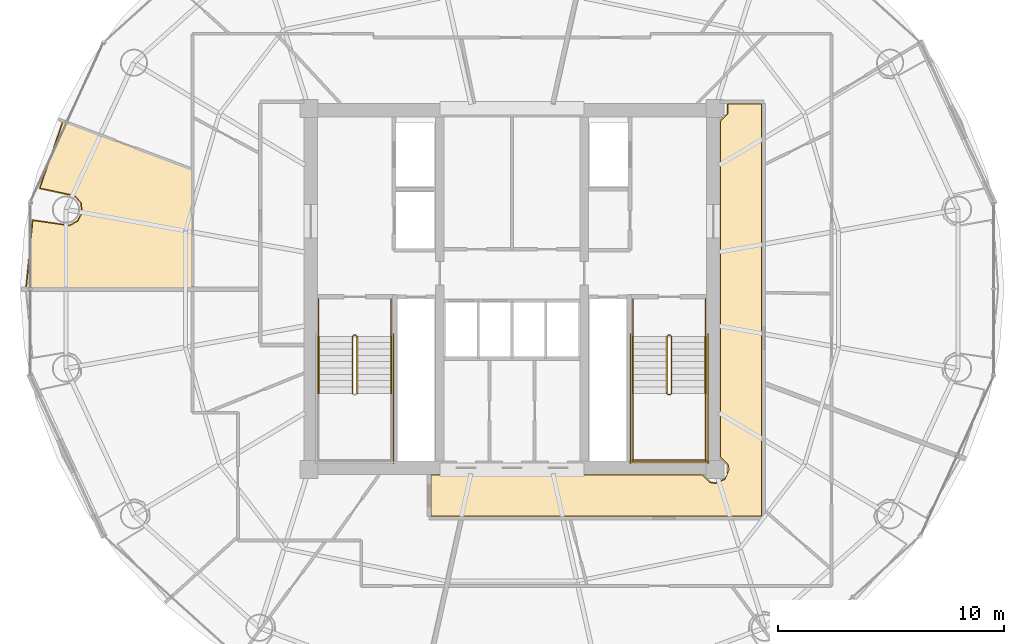
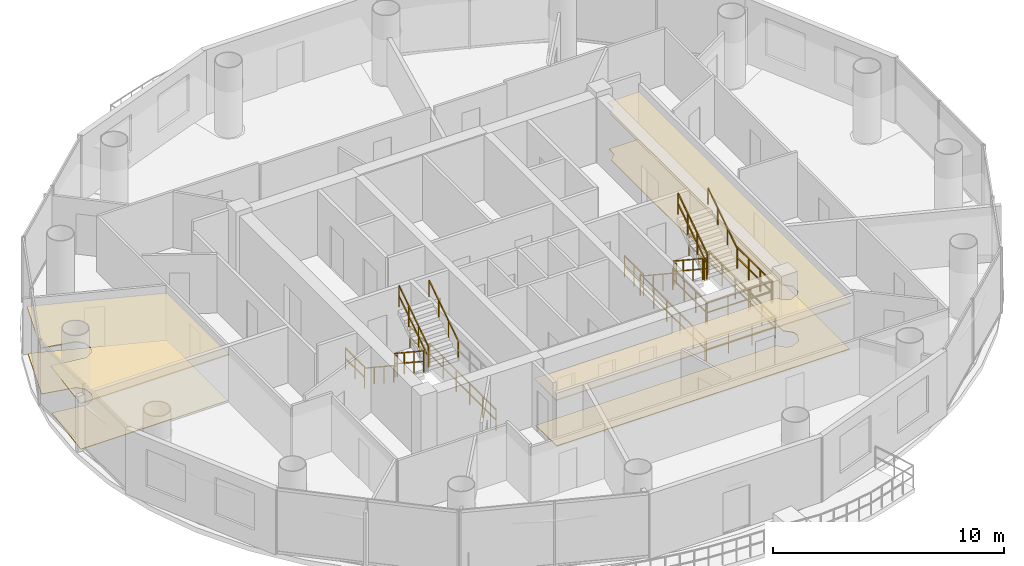
# One storey, part 25 of 26: 22 railings, 4 coverings.
"""IFC4 building model written with IfcOpenShell, lengths in metres."""

from ifc_helpers import new_model, si_unit, direction, frame, origin, origin_2d, place, context, subcontext, project, spatial, polyline, rectangle, outline, extrude, material, layer, layer_set, type_object, element, save


model = new_model("IFC4")

# Units and contexts
model_context = context("Model", 3, precision=1e-05, world=origin(), true_north=direction((-0.2419218956, 0.970295726276)))
body_context = subcontext(model_context, "Body", "Model", "MODEL_VIEW")
ifc_project = project(units=[si_unit("LENGTHUNIT", "METRE"), si_unit("AREAUNIT", "SQUARE_METRE"), si_unit("VOLUMEUNIT", "CUBIC_METRE"), si_unit("PLANEANGLEUNIT", "RADIAN"), si_unit("MASSUNIT", "GRAM", prefix="KILO")], contexts=[model_context])

# Site, building, storey
site_placement = place(None, origin())
site = spatial("IfcSite", under=ifc_project, at=site_placement, CompositionType="ELEMENT")
building_placement = place(site_placement, origin())
building = spatial("IfcBuilding", under=site, at=building_placement, Name="Cobrevalo Terracotta Tower", CompositionType="ELEMENT")
storey_placement = place(building_placement, frame((0.0, 0.0, 235.60009765625)))
storey = spatial("IfcBuildingStorey", under=building, at=storey_placement, Name="L62", CompositionType="ELEMENT", Elevation=235.60009765625)

# Coverings
ifc_material_1 = material(Name="Engineered Brazilian hardwood flooring", Category="wood")
ifc_layer_1 = layer(ifc_material_1, 0.028076171875)
ifc_layer_set_1 = layer_set([ifc_layer_1], Name="Engineered Brazilian hardwood flooring")
covering_type_1 = type_object("IfcCoveringType", Name="Engineered Hardwood Suite Flooring 28", PredefinedType="FLOORING", material=ifc_layer_set_1)
covering_1_placement = place(storey_placement, origin())
element("IfcCovering", 1, at=covering_1_placement, inside=storey, type_object=covering_type_1, Name="Flat L62B Penthouse Family Lounge floor finish", PredefinedType="FLOORING", context=body_context, shape_type="SweptSolid", body=[
    extrude(outline(polyline([(23.824951171875, 32.08447265625), (23.824951171875, 26.820068359375), (16.4814453125, 26.820068359375), (16.7734375, 29.83056640625), (18.39599609375, 29.5986328125), (18.770751953125, 29.80859375), (18.9658203125, 30.191650390625), (18.9150390625, 30.6181640625), (18.635986328125, 30.94482421875), (17.09228515625, 31.277099609375), (18.114501953125, 34.221923828125), (23.824951171875, 32.08447265625)])), origin(), (0.0, 0.0, 1.0), 0.02978515625),
])
ifc_material_2 = material(Name="Honed terracotta and granite tile", Category="masonry")
ifc_layer_2 = layer(ifc_material_2, 0.034912109375)
ifc_layer_set_2 = layer_set([ifc_layer_2], Name="Honed terracotta and granite tile")
covering_type_2 = type_object("IfcCoveringType", Name="Honed Terracotta & Granite Interior Flooring 35", PredefinedType="FLOORING", material=ifc_layer_set_2)
covering_2_placement = place(storey_placement, origin())
element("IfcCovering", 2, at=covering_2_placement, inside=storey, type_object=covering_type_2, Name="L62 Residential Floor Corridor 1 floor finish", PredefinedType="FLOORING", context=body_context, shape_type="SweptSolid", body=[
    extrude(outline(polyline([(34.419921875, 18.554931640625), (46.431884765625, 18.554931640625), (46.7626953125, 18.226806640625), (47.0, 18.1796875), (47.438720703125, 18.361328125), (47.620361328125, 18.800048828125), (47.5732421875, 19.037353515625), (47.2451171875, 19.3681640625), (47.2451171875, 34.23193359375), (47.5732421875, 34.5625), (47.57958984375, 35.0048828125), (49.054931640625, 35.0048828125), (49.054931640625, 16.7451171875), (34.419921875, 16.7451171875), (34.419921875, 18.554931640625)])), origin(), (0.0, 0.0, 1.0), 0.02978515625),
])
ifc_material_3 = material(Name="Acoustic perforated gypsum ceiling", Category="gypsum")
ifc_layer_3 = layer(ifc_material_3, 0.050048828125)
ifc_layer_set_3 = layer_set([ifc_layer_3], Name="Acoustic perforated gypsum ceiling")
covering_type_3 = type_object("IfcCoveringType", Name="Perforated Acoustic Gypsum Ceiling 50", PredefinedType="CEILING", material=ifc_layer_set_3)
covering_3_placement = place(storey_placement, frame((0.0, 0.0, 2.44482421875)))
element("IfcCovering", 3, at=covering_3_placement, inside=storey, type_object=covering_type_3, Name="L62 Residential Floor Corridor 1 acoustic ceiling", PredefinedType="CEILING", context=body_context, shape_type="SweptSolid", body=[
    extrude(outline(polyline([(34.375, 18.60009765625), (46.4560546875, 18.60009765625), (46.780029296875, 18.269287109375), (47.0, 18.2255859375), (47.40625, 18.393798828125), (47.53076171875, 18.580078125), (47.53076171875, 19.019775390625), (47.199951171875, 19.343994140625), (47.199951171875, 34.255859375), (47.53076171875, 34.580078125), (47.524658203125, 35.050048828125), (49.10009765625, 35.050048828125), (49.10009765625, 16.699951171875), (34.375, 16.699951171875), (34.375, 18.60009765625)])), origin(), (0.0, 0.0, 1.0), 0.050048828125),
])
covering_4_placement = place(storey_placement, frame((0.0, 0.0, 2.44482421875)))
element("IfcCovering", 4, at=covering_4_placement, inside=storey, type_object=covering_type_3, Name="Flat L62B Penthouse Family Lounge acoustic ceiling", PredefinedType="CEILING", context=body_context, shape_type="SweptSolid", body=[
    extrude(outline(polyline([(23.8701171875, 32.11572265625), (23.8701171875, 26.77490234375), (16.43310546875, 26.77490234375), (16.73876953125, 29.88232421875), (18.386474609375, 29.642578125), (18.73828125, 29.83984375), (18.92138671875, 30.199462890625), (18.873779296875, 30.60009765625), (18.611572265625, 30.90673828125), (17.038330078125, 31.240966796875), (18.088134765625, 34.280029296875), (23.8701171875, 32.11572265625)])), origin(), (0.0, 0.0, 1.0), 0.050048828125),
])

# Railings
ifc_material_4 = material(Name="Brushed stainless steel", Category="steel")
railing_type_1 = type_object("IfcRailingType", Name="Stainless Steel Stair Handrail 900", PredefinedType="HANDRAIL", material=ifc_material_4)
railing_1_placement = place(storey_placement, frame((29.425048828125, 24.699951171875, 0.184814453125)))
element("IfcRailing", 5, at=railing_1_placement, inside=storey, type_object=railing_type_1, Name="L62 ST-1 stair handrail 1", PredefinedType="HANDRAIL", context=body_context, shape_type="SweptSolid", body=[
    extrude(rectangle(XDim=0.048095703125, YDim=0.048095703125, at=origin_2d()), frame((0.0, 0.0, 0.8759765625), z_axis=(0.0, -0.834331337432, 0.55126329406), x_axis=(1.0, 0.0, 0.0)), (0.0, 0.0, 1.0), 3.0205078125),
    extrude(rectangle(XDim=0.0419921875, YDim=0.0419921875, at=origin_2d()), origin(), (0.0, 0.0, 1.0), 0.851806640625),
    extrude(rectangle(XDim=0.0419921875, YDim=0.0419921875, at=origin_2d()), frame((0.0, -0.840087890625, 0.554931640625)), (0.0, 0.0, 1.0), 0.851806640625),
    extrude(rectangle(XDim=0.0419921875, YDim=0.0419921875, at=origin_2d()), frame((0.0, -1.679931640625, 1.110107421875)), (0.0, 0.0, 1.0), 0.851806640625),
    extrude(rectangle(XDim=0.0419921875, YDim=0.0419921875, at=origin_2d()), frame((0.0, -2.52001953125, 1.6650390625)), (0.0, 0.0, 1.0), 0.851806640625),
])
railing_2_placement = place(storey_placement, frame((32.64501953125, 22.179931640625, 2.034912109375)))
element("IfcRailing", 6, at=railing_2_placement, inside=storey, type_object=railing_type_1, Name="L62 ST-1 stair handrail 2", PredefinedType="HANDRAIL", context=body_context, shape_type="SweptSolid", body=[
    extrude(rectangle(XDim=0.048095703125, YDim=0.048095703125, at=origin_2d()), frame((0.0, 0.0, 0.8759765625), z_axis=(0.0, 0.834331337432, 0.55126329406), x_axis=(-1.0, 0.0, 0.0)), (0.0, 0.0, 1.0), 3.0205078125),
    extrude(rectangle(XDim=0.0419921875, YDim=0.0419921875, at=origin_2d()), origin(), (0.0, 0.0, 1.0), 0.851806640625),
    extrude(rectangle(XDim=0.0419921875, YDim=0.0419921875, at=origin_2d()), frame((0.0, 0.840087890625, 0.554931640625)), (0.0, 0.0, 1.0), 0.851806640625),
    extrude(rectangle(XDim=0.0419921875, YDim=0.0419921875, at=origin_2d()), frame((0.0, 1.679931640625, 1.110107421875)), (0.0, 0.0, 1.0), 0.851806640625),
    extrude(rectangle(XDim=0.0419921875, YDim=0.0419921875, at=origin_2d()), frame((0.0, 2.52001953125, 1.6650390625)), (0.0, 0.0, 1.0), 0.851806640625),
])
railing_3_placement = place(storey_placement, frame((43.35498046875, 24.699951171875, 0.184814453125)))
element("IfcRailing", 7, at=railing_3_placement, inside=storey, type_object=railing_type_1, Name="L62 ST-2 stair handrail 1", PredefinedType="HANDRAIL", context=body_context, shape_type="SweptSolid", body=[
    extrude(rectangle(XDim=0.048095703125, YDim=0.048095703125, at=origin_2d()), frame((0.0, 0.0, 0.8759765625), z_axis=(0.0, -0.834331337432, 0.55126329406), x_axis=(1.0, 0.0, 0.0)), (0.0, 0.0, 1.0), 3.0205078125),
    extrude(rectangle(XDim=0.0419921875, YDim=0.0419921875, at=origin_2d()), origin(), (0.0, 0.0, 1.0), 0.851806640625),
    extrude(rectangle(XDim=0.0419921875, YDim=0.0419921875, at=origin_2d()), frame((0.0, -0.840087890625, 0.554931640625)), (0.0, 0.0, 1.0), 0.851806640625),
    extrude(rectangle(XDim=0.0419921875, YDim=0.0419921875, at=origin_2d()), frame((0.0, -1.679931640625, 1.110107421875)), (0.0, 0.0, 1.0), 0.851806640625),
    extrude(rectangle(XDim=0.0419921875, YDim=0.0419921875, at=origin_2d()), frame((0.0, -2.52001953125, 1.6650390625)), (0.0, 0.0, 1.0), 0.851806640625),
])
railing_4_placement = place(storey_placement, frame((46.574951171875, 22.179931640625, 2.034912109375)))
element("IfcRailing", 8, at=railing_4_placement, inside=storey, type_object=railing_type_1, Name="L62 ST-2 stair handrail 2", PredefinedType="HANDRAIL", context=body_context, shape_type="SweptSolid", body=[
    extrude(rectangle(XDim=0.048095703125, YDim=0.048095703125, at=origin_2d()), frame((0.0, 0.0, 0.8759765625), z_axis=(0.0, 0.834331337432, 0.55126329406), x_axis=(-1.0, 0.0, 0.0)), (0.0, 0.0, 1.0), 3.0205078125),
    extrude(rectangle(XDim=0.0419921875, YDim=0.0419921875, at=origin_2d()), origin(), (0.0, 0.0, 1.0), 0.851806640625),
    extrude(rectangle(XDim=0.0419921875, YDim=0.0419921875, at=origin_2d()), frame((0.0, 0.840087890625, 0.554931640625)), (0.0, 0.0, 1.0), 0.851806640625),
    extrude(rectangle(XDim=0.0419921875, YDim=0.0419921875, at=origin_2d()), frame((0.0, 1.679931640625, 1.110107421875)), (0.0, 0.0, 1.0), 0.851806640625),
    extrude(rectangle(XDim=0.0419921875, YDim=0.0419921875, at=origin_2d()), frame((0.0, 2.52001953125, 1.6650390625)), (0.0, 0.0, 1.0), 0.851806640625),
])
ifc_material_5 = material(Name="Painted galvanized steel", Category="steel")
railing_type_2 = type_object("IfcRailingType", Name="Stair Well Guard Balustrade 1150", PredefinedType="GUARDRAIL", material=ifc_material_5)
railing_5_placement = place(storey_placement, frame((30.925048828125, 24.699951171875, 0.184814453125)))
element("IfcRailing", 9, at=railing_5_placement, inside=storey, type_object=railing_type_2, Name="L62 ST-1 stair guard 1", PredefinedType="GUARDRAIL", context=body_context, shape_type="SweptSolid", body=[
    extrude(rectangle(XDim=0.048095703125, YDim=0.048095703125, at=origin_2d()), frame((0.0, 0.0, 1.1259765625), z_axis=(0.0, -0.834331337432, 0.55126329406), x_axis=(1.0, 0.0, 0.0)), (0.0, 0.0, 1.0), 3.0205078125),
    extrude(rectangle(XDim=0.048095703125, YDim=0.048095703125, at=origin_2d()), frame((0.0, 0.0, 0.574951171875), z_axis=(0.0, -0.834331337432, 0.55126329406), x_axis=(1.0, 0.0, 0.0)), (0.0, 0.0, 1.0), 3.0205078125),
    extrude(rectangle(XDim=0.0419921875, YDim=0.0419921875, at=origin_2d()), origin(), (0.0, 0.0, 1.0), 1.101806640625),
    extrude(rectangle(XDim=0.0419921875, YDim=0.0419921875, at=origin_2d()), frame((0.0, -0.840087890625, 0.554931640625)), (0.0, 0.0, 1.0), 1.101806640625),
    extrude(rectangle(XDim=0.0419921875, YDim=0.0419921875, at=origin_2d()), frame((0.0, -1.679931640625, 1.110107421875)), (0.0, 0.0, 1.0), 1.101806640625),
    extrude(rectangle(XDim=0.0419921875, YDim=0.0419921875, at=origin_2d()), frame((0.0, -2.52001953125, 1.6650390625)), (0.0, 0.0, 1.0), 1.101806640625),
])
railing_6_placement = place(storey_placement, frame((31.14501953125, 22.179931640625, 2.034912109375)))
element("IfcRailing", 10, at=railing_6_placement, inside=storey, type_object=railing_type_2, Name="L62 ST-1 stair guard 6", PredefinedType="GUARDRAIL", context=body_context, shape_type="SweptSolid", body=[
    extrude(rectangle(XDim=0.048095703125, YDim=0.048095703125, at=origin_2d()), frame((0.0, 0.0, 1.1259765625), z_axis=(0.0, 0.834331337432, 0.55126329406), x_axis=(-1.0, 0.0, 0.0)), (0.0, 0.0, 1.0), 3.0205078125),
    extrude(rectangle(XDim=0.048095703125, YDim=0.048095703125, at=origin_2d()), frame((0.0, 0.0, 0.574951171875), z_axis=(0.0, 0.834331337432, 0.55126329406), x_axis=(-1.0, 0.0, 0.0)), (0.0, 0.0, 1.0), 3.0205078125),
    extrude(rectangle(XDim=0.0419921875, YDim=0.0419921875, at=origin_2d()), origin(), (0.0, 0.0, 1.0), 1.101806640625),
    extrude(rectangle(XDim=0.0419921875, YDim=0.0419921875, at=origin_2d()), frame((0.0, 0.840087890625, 0.554931640625)), (0.0, 0.0, 1.0), 1.101806640625),
    extrude(rectangle(XDim=0.0419921875, YDim=0.0419921875, at=origin_2d()), frame((0.0, 1.679931640625, 1.110107421875)), (0.0, 0.0, 1.0), 1.101806640625),
    extrude(rectangle(XDim=0.0419921875, YDim=0.0419921875, at=origin_2d()), frame((0.0, 2.52001953125, 1.6650390625)), (0.0, 0.0, 1.0), 1.101806640625),
])
railing_7_placement = place(storey_placement, frame((30.97509765625, 24.75, 0.0)))
element("IfcRailing", 11, at=railing_7_placement, inside=storey, type_object=railing_type_2, Name="L62 ST-1 stair guard 7", PredefinedType="GUARDRAIL", context=body_context, shape_type="SweptSolid", body=[
    extrude(rectangle(XDim=0.048095703125, YDim=0.048095703125, at=origin_2d()), frame((0.0, 0.0, 1.1259765625), z_axis=(1.0, 0.0, 0.0), x_axis=(0.0, 1.0, 0.0)), (0.0, 0.0, 1.0), 0.119873046875),
    extrude(rectangle(XDim=0.048095703125, YDim=0.048095703125, at=origin_2d()), frame((0.0, 0.0, 0.574951171875), z_axis=(1.0, 0.0, 0.0), x_axis=(0.0, 1.0, 0.0)), (0.0, 0.0, 1.0), 0.119873046875),
    extrude(rectangle(XDim=0.0419921875, YDim=0.0419921875, at=origin_2d()), origin(), (0.0, 0.0, 1.0), 1.101806640625),
    extrude(rectangle(XDim=0.0419921875, YDim=0.0419921875, at=origin_2d()), frame((0.119873046875, 0.0, 0.0)), (0.0, 0.0, 1.0), 1.101806640625),
])
for number, where, name in (
    (12, (29.425048828125, 26.35009765625, 0.0), "L62 ST-1 stair guard 8"),
    (13, (32.64501953125, 26.35009765625, 0.0), "L62 ST-1 stair guard 9"),
):
    element("IfcRailing", number, at=place(storey_placement, frame(where)), inside=storey, type_object=railing_type_2, Name=name, PredefinedType="GUARDRAIL", context=body_context, shape_type="SweptSolid", body=[
        extrude(rectangle(XDim=0.048095703125, YDim=0.048095703125, at=origin_2d()), frame((0.0, 0.0, 1.1259765625), z_axis=(0.0, -1.0, 0.0), x_axis=(1.0, 0.0, 0.0)), (0.0, 0.0, 1.0), 1.650146484375),
        extrude(rectangle(XDim=0.048095703125, YDim=0.048095703125, at=origin_2d()), frame((0.0, 0.0, 0.574951171875), z_axis=(0.0, -1.0, 0.0), x_axis=(1.0, 0.0, 0.0)), (0.0, 0.0, 1.0), 1.650146484375),
        extrude(rectangle(XDim=0.0419921875, YDim=0.0419921875, at=origin_2d()), origin(), (0.0, 0.0, 1.0), 1.101806640625),
        extrude(rectangle(XDim=0.0419921875, YDim=0.0419921875, at=origin_2d()), frame((0.0, -0.8251953125, 0.0)), (0.0, 0.0, 1.0), 1.101806640625),
        extrude(rectangle(XDim=0.0419921875, YDim=0.0419921875, at=origin_2d()), frame((0.0, -1.650146484375, 0.0)), (0.0, 0.0, 1.0), 1.101806640625),
    ])
railing_8_placement = place(storey_placement, frame((32.7451171875, 24.800048828125, 0.0)))
element("IfcRailing", 14, at=railing_8_placement, inside=storey, type_object=railing_type_2, Name="L62 ST-1 stair guard 11", PredefinedType="GUARDRAIL", context=body_context, shape_type="SweptSolid", body=[
    extrude(rectangle(XDim=0.048095703125, YDim=0.048095703125, at=origin_2d()), frame((0.0, 0.0, 1.1259765625), z_axis=(0.0, -1.0, 0.0), x_axis=(1.0, 0.0, 0.0)), (0.0, 0.0, 1.0), 5.72509765625),
    extrude(rectangle(XDim=0.048095703125, YDim=0.048095703125, at=origin_2d()), frame((0.0, 0.0, 0.574951171875), z_axis=(0.0, -1.0, 0.0), x_axis=(1.0, 0.0, 0.0)), (0.0, 0.0, 1.0), 5.72509765625),
    extrude(rectangle(XDim=0.0419921875, YDim=0.0419921875, at=origin_2d()), origin(), (0.0, 0.0, 1.0), 1.101806640625),
    extrude(rectangle(XDim=0.0419921875, YDim=0.0419921875, at=origin_2d()), frame((0.0, -1.14501953125, 0.0)), (0.0, 0.0, 1.0), 1.101806640625),
    extrude(rectangle(XDim=0.0419921875, YDim=0.0419921875, at=origin_2d()), frame((0.0, -2.2900390625, 0.0)), (0.0, 0.0, 1.0), 1.101806640625),
    extrude(rectangle(XDim=0.0419921875, YDim=0.0419921875, at=origin_2d()), frame((0.0, -3.43505859375, 0.0)), (0.0, 0.0, 1.0), 1.101806640625),
    extrude(rectangle(XDim=0.0419921875, YDim=0.0419921875, at=origin_2d()), frame((0.0, -4.580078125, 0.0)), (0.0, 0.0, 1.0), 1.101806640625),
    extrude(rectangle(XDim=0.0419921875, YDim=0.0419921875, at=origin_2d()), frame((0.0, -5.72509765625, 0.0)), (0.0, 0.0, 1.0), 1.101806640625),
])
railing_9_placement = place(storey_placement, frame((44.85498046875, 24.699951171875, 0.184814453125)))
element("IfcRailing", 15, at=railing_9_placement, inside=storey, type_object=railing_type_2, Name="L62 ST-2 stair guard 1", PredefinedType="GUARDRAIL", context=body_context, shape_type="SweptSolid", body=[
    extrude(rectangle(XDim=0.048095703125, YDim=0.048095703125, at=origin_2d()), frame((0.0, 0.0, 1.1259765625), z_axis=(0.0, -0.834331337432, 0.55126329406), x_axis=(1.0, 0.0, 0.0)), (0.0, 0.0, 1.0), 3.0205078125),
    extrude(rectangle(XDim=0.048095703125, YDim=0.048095703125, at=origin_2d()), frame((0.0, 0.0, 0.574951171875), z_axis=(0.0, -0.834331337432, 0.55126329406), x_axis=(1.0, 0.0, 0.0)), (0.0, 0.0, 1.0), 3.0205078125),
    extrude(rectangle(XDim=0.0419921875, YDim=0.0419921875, at=origin_2d()), origin(), (0.0, 0.0, 1.0), 1.101806640625),
    extrude(rectangle(XDim=0.0419921875, YDim=0.0419921875, at=origin_2d()), frame((0.0, -0.840087890625, 0.554931640625)), (0.0, 0.0, 1.0), 1.101806640625),
    extrude(rectangle(XDim=0.0419921875, YDim=0.0419921875, at=origin_2d()), frame((0.0, -1.679931640625, 1.110107421875)), (0.0, 0.0, 1.0), 1.101806640625),
    extrude(rectangle(XDim=0.0419921875, YDim=0.0419921875, at=origin_2d()), frame((0.0, -2.52001953125, 1.6650390625)), (0.0, 0.0, 1.0), 1.101806640625),
])
railing_10_placement = place(storey_placement, frame((44.905029296875, 22.1298828125, 1.849853515625)))
element("IfcRailing", 16, at=railing_10_placement, inside=storey, type_object=railing_type_2, Name="L62 ST-2 stair guard 2", PredefinedType="GUARDRAIL", context=body_context, shape_type="SweptSolid", body=[
    extrude(rectangle(XDim=0.048095703125, YDim=0.048095703125, at=origin_2d()), frame((0.0, 0.0, 1.1259765625), z_axis=(1.0, 0.0, 0.0), x_axis=(0.0, 1.0, 0.0)), (0.0, 0.0, 1.0), 0.119873046875),
    extrude(rectangle(XDim=0.048095703125, YDim=0.048095703125, at=origin_2d()), frame((0.0, 0.0, 0.574951171875), z_axis=(1.0, 0.0, 0.0), x_axis=(0.0, 1.0, 0.0)), (0.0, 0.0, 1.0), 0.119873046875),
    extrude(rectangle(XDim=0.0419921875, YDim=0.0419921875, at=origin_2d()), origin(), (0.0, 0.0, 1.0), 1.101806640625),
    extrude(rectangle(XDim=0.0419921875, YDim=0.0419921875, at=origin_2d()), frame((0.119873046875, 0.0, 0.0)), (0.0, 0.0, 1.0), 1.101806640625),
])
for number, where, name in (
    (17, (43.35498046875, 22.179931640625, 1.849853515625), "L62 ST-2 stair guard 3"),
    (18, (46.574951171875, 22.179931640625, 1.849853515625), "L62 ST-2 stair guard 4"),
):
    element("IfcRailing", number, at=place(storey_placement, frame(where)), inside=storey, type_object=railing_type_2, Name=name, PredefinedType="GUARDRAIL", context=body_context, shape_type="SweptSolid", body=[
        extrude(rectangle(XDim=0.048095703125, YDim=0.048095703125, at=origin_2d()), frame((0.0, 0.0, 1.1259765625), z_axis=(0.0, -1.0, 0.0), x_axis=(1.0, 0.0, 0.0)), (0.0, 0.0, 1.0), 3.0048828125),
        extrude(rectangle(XDim=0.048095703125, YDim=0.048095703125, at=origin_2d()), frame((0.0, 0.0, 0.574951171875), z_axis=(0.0, -1.0, 0.0), x_axis=(1.0, 0.0, 0.0)), (0.0, 0.0, 1.0), 3.0048828125),
        extrude(rectangle(XDim=0.0419921875, YDim=0.0419921875, at=origin_2d()), origin(), (0.0, 0.0, 1.0), 1.101806640625),
        extrude(rectangle(XDim=0.0419921875, YDim=0.0419921875, at=origin_2d()), frame((0.0, -1.001708984375, 0.0)), (0.0, 0.0, 1.0), 1.101806640625),
        extrude(rectangle(XDim=0.0419921875, YDim=0.0419921875, at=origin_2d()), frame((0.0, -2.003173828125, 0.0)), (0.0, 0.0, 1.0), 1.101806640625),
        extrude(rectangle(XDim=0.0419921875, YDim=0.0419921875, at=origin_2d()), frame((0.0, -3.0048828125, 0.0)), (0.0, 0.0, 1.0), 1.101806640625),
    ])
railing_11_placement = place(storey_placement, frame((43.304931640625, 19.22509765625, 1.849853515625)))
element("IfcRailing", 19, at=railing_11_placement, inside=storey, type_object=railing_type_2, Name="L62 ST-2 stair guard 5", PredefinedType="GUARDRAIL", context=body_context, shape_type="SweptSolid", body=[
    extrude(rectangle(XDim=0.048095703125, YDim=0.048095703125, at=origin_2d()), frame((0.0, 0.0, 1.1259765625), z_axis=(1.0, 0.0, 0.0), x_axis=(0.0, 1.0, 0.0)), (0.0, 0.0, 1.0), 3.320068359375),
    extrude(rectangle(XDim=0.048095703125, YDim=0.048095703125, at=origin_2d()), frame((0.0, 0.0, 0.574951171875), z_axis=(1.0, 0.0, 0.0), x_axis=(0.0, 1.0, 0.0)), (0.0, 0.0, 1.0), 3.320068359375),
    extrude(rectangle(XDim=0.0419921875, YDim=0.0419921875, at=origin_2d()), origin(), (0.0, 0.0, 1.0), 1.101806640625),
    extrude(rectangle(XDim=0.0419921875, YDim=0.0419921875, at=origin_2d()), frame((1.106689453125, 0.0, 0.0)), (0.0, 0.0, 1.0), 1.101806640625),
    extrude(rectangle(XDim=0.0419921875, YDim=0.0419921875, at=origin_2d()), frame((2.21337890625, 0.0, 0.0)), (0.0, 0.0, 1.0), 1.101806640625),
    extrude(rectangle(XDim=0.0419921875, YDim=0.0419921875, at=origin_2d()), frame((3.320068359375, 0.0, 0.0)), (0.0, 0.0, 1.0), 1.101806640625),
])
railing_12_placement = place(storey_placement, frame((45.074951171875, 22.179931640625, 2.034912109375)))
element("IfcRailing", 20, at=railing_12_placement, inside=storey, type_object=railing_type_2, Name="L62 ST-2 stair guard 6", PredefinedType="GUARDRAIL", context=body_context, shape_type="SweptSolid", body=[
    extrude(rectangle(XDim=0.048095703125, YDim=0.048095703125, at=origin_2d()), frame((0.0, 0.0, 1.1259765625), z_axis=(0.0, 0.834331337432, 0.55126329406), x_axis=(-1.0, 0.0, 0.0)), (0.0, 0.0, 1.0), 3.0205078125),
    extrude(rectangle(XDim=0.048095703125, YDim=0.048095703125, at=origin_2d()), frame((0.0, 0.0, 0.574951171875), z_axis=(0.0, 0.834331337432, 0.55126329406), x_axis=(-1.0, 0.0, 0.0)), (0.0, 0.0, 1.0), 3.0205078125),
    extrude(rectangle(XDim=0.0419921875, YDim=0.0419921875, at=origin_2d()), origin(), (0.0, 0.0, 1.0), 1.101806640625),
    extrude(rectangle(XDim=0.0419921875, YDim=0.0419921875, at=origin_2d()), frame((0.0, 0.840087890625, 0.554931640625)), (0.0, 0.0, 1.0), 1.101806640625),
    extrude(rectangle(XDim=0.0419921875, YDim=0.0419921875, at=origin_2d()), frame((0.0, 1.679931640625, 1.110107421875)), (0.0, 0.0, 1.0), 1.101806640625),
    extrude(rectangle(XDim=0.0419921875, YDim=0.0419921875, at=origin_2d()), frame((0.0, 2.52001953125, 1.6650390625)), (0.0, 0.0, 1.0), 1.101806640625),
])
railing_13_placement = place(storey_placement, frame((44.905029296875, 24.75, 0.0)))
element("IfcRailing", 21, at=railing_13_placement, inside=storey, type_object=railing_type_2, Name="L62 ST-2 stair guard 7", PredefinedType="GUARDRAIL", context=body_context, shape_type="SweptSolid", body=[
    extrude(rectangle(XDim=0.048095703125, YDim=0.048095703125, at=origin_2d()), frame((0.0, 0.0, 1.1259765625), z_axis=(1.0, 0.0, 0.0), x_axis=(0.0, 1.0, 0.0)), (0.0, 0.0, 1.0), 0.119873046875),
    extrude(rectangle(XDim=0.048095703125, YDim=0.048095703125, at=origin_2d()), frame((0.0, 0.0, 0.574951171875), z_axis=(1.0, 0.0, 0.0), x_axis=(0.0, 1.0, 0.0)), (0.0, 0.0, 1.0), 0.119873046875),
    extrude(rectangle(XDim=0.0419921875, YDim=0.0419921875, at=origin_2d()), origin(), (0.0, 0.0, 1.0), 1.101806640625),
    extrude(rectangle(XDim=0.0419921875, YDim=0.0419921875, at=origin_2d()), frame((0.119873046875, 0.0, 0.0)), (0.0, 0.0, 1.0), 1.101806640625),
])
for number, where, name in (
    (22, (43.35498046875, 26.35009765625, 0.0), "L62 ST-2 stair guard 8"),
    (23, (46.574951171875, 26.35009765625, 0.0), "L62 ST-2 stair guard 9"),
):
    element("IfcRailing", number, at=place(storey_placement, frame(where)), inside=storey, type_object=railing_type_2, Name=name, PredefinedType="GUARDRAIL", context=body_context, shape_type="SweptSolid", body=[
        extrude(rectangle(XDim=0.048095703125, YDim=0.048095703125, at=origin_2d()), frame((0.0, 0.0, 1.1259765625), z_axis=(0.0, -1.0, 0.0), x_axis=(1.0, 0.0, 0.0)), (0.0, 0.0, 1.0), 1.650146484375),
        extrude(rectangle(XDim=0.048095703125, YDim=0.048095703125, at=origin_2d()), frame((0.0, 0.0, 0.574951171875), z_axis=(0.0, -1.0, 0.0), x_axis=(1.0, 0.0, 0.0)), (0.0, 0.0, 1.0), 1.650146484375),
        extrude(rectangle(XDim=0.0419921875, YDim=0.0419921875, at=origin_2d()), origin(), (0.0, 0.0, 1.0), 1.101806640625),
        extrude(rectangle(XDim=0.0419921875, YDim=0.0419921875, at=origin_2d()), frame((0.0, -0.8251953125, 0.0)), (0.0, 0.0, 1.0), 1.101806640625),
        extrude(rectangle(XDim=0.0419921875, YDim=0.0419921875, at=origin_2d()), frame((0.0, -1.650146484375, 0.0)), (0.0, 0.0, 1.0), 1.101806640625),
    ])
for number, where, name in (
    (24, (43.2548828125, 24.800048828125, 0.0), "L62 ST-2 stair guard 10"),
    (25, (46.675048828125, 24.800048828125, 0.0), "L62 ST-2 stair guard 11"),
):
    element("IfcRailing", number, at=place(storey_placement, frame(where)), inside=storey, type_object=railing_type_2, Name=name, PredefinedType="GUARDRAIL", context=body_context, shape_type="SweptSolid", body=[
        extrude(rectangle(XDim=0.048095703125, YDim=0.048095703125, at=origin_2d()), frame((0.0, 0.0, 1.1259765625), z_axis=(0.0, -1.0, 0.0), x_axis=(1.0, 0.0, 0.0)), (0.0, 0.0, 1.0), 5.72509765625),
        extrude(rectangle(XDim=0.048095703125, YDim=0.048095703125, at=origin_2d()), frame((0.0, 0.0, 0.574951171875), z_axis=(0.0, -1.0, 0.0), x_axis=(1.0, 0.0, 0.0)), (0.0, 0.0, 1.0), 5.72509765625),
        extrude(rectangle(XDim=0.0419921875, YDim=0.0419921875, at=origin_2d()), origin(), (0.0, 0.0, 1.0), 1.101806640625),
        extrude(rectangle(XDim=0.0419921875, YDim=0.0419921875, at=origin_2d()), frame((0.0, -1.14501953125, 0.0)), (0.0, 0.0, 1.0), 1.101806640625),
        extrude(rectangle(XDim=0.0419921875, YDim=0.0419921875, at=origin_2d()), frame((0.0, -2.2900390625, 0.0)), (0.0, 0.0, 1.0), 1.101806640625),
        extrude(rectangle(XDim=0.0419921875, YDim=0.0419921875, at=origin_2d()), frame((0.0, -3.43505859375, 0.0)), (0.0, 0.0, 1.0), 1.101806640625),
        extrude(rectangle(XDim=0.0419921875, YDim=0.0419921875, at=origin_2d()), frame((0.0, -4.580078125, 0.0)), (0.0, 0.0, 1.0), 1.101806640625),
        extrude(rectangle(XDim=0.0419921875, YDim=0.0419921875, at=origin_2d()), frame((0.0, -5.72509765625, 0.0)), (0.0, 0.0, 1.0), 1.101806640625),
    ])
railing_14_placement = place(storey_placement, frame((43.205078125, 19.125, 0.0)))
element("IfcRailing", 26, at=railing_14_placement, inside=storey, type_object=railing_type_2, Name="L62 ST-2 stair guard 12", PredefinedType="GUARDRAIL", context=body_context, shape_type="SweptSolid", body=[
    extrude(rectangle(XDim=0.048095703125, YDim=0.048095703125, at=origin_2d()), frame((0.0, 0.0, 1.1259765625), z_axis=(1.0, 0.0, 0.0), x_axis=(0.0, 1.0, 0.0)), (0.0, 0.0, 1.0), 3.52001953125),
    extrude(rectangle(XDim=0.048095703125, YDim=0.048095703125, at=origin_2d()), frame((0.0, 0.0, 0.574951171875), z_axis=(1.0, 0.0, 0.0), x_axis=(0.0, 1.0, 0.0)), (0.0, 0.0, 1.0), 3.52001953125),
    extrude(rectangle(XDim=0.0419921875, YDim=0.0419921875, at=origin_2d()), origin(), (0.0, 0.0, 1.0), 1.101806640625),
    extrude(rectangle(XDim=0.0419921875, YDim=0.0419921875, at=origin_2d()), frame((1.17333984375, 0.0, 0.0)), (0.0, 0.0, 1.0), 1.101806640625),
    extrude(rectangle(XDim=0.0419921875, YDim=0.0419921875, at=origin_2d()), frame((2.3466796875, 0.0, 0.0)), (0.0, 0.0, 1.0), 1.101806640625),
    extrude(rectangle(XDim=0.0419921875, YDim=0.0419921875, at=origin_2d()), frame((3.52001953125, 0.0, 0.0)), (0.0, 0.0, 1.0), 1.101806640625),
])

save(model, "model.ifc")
